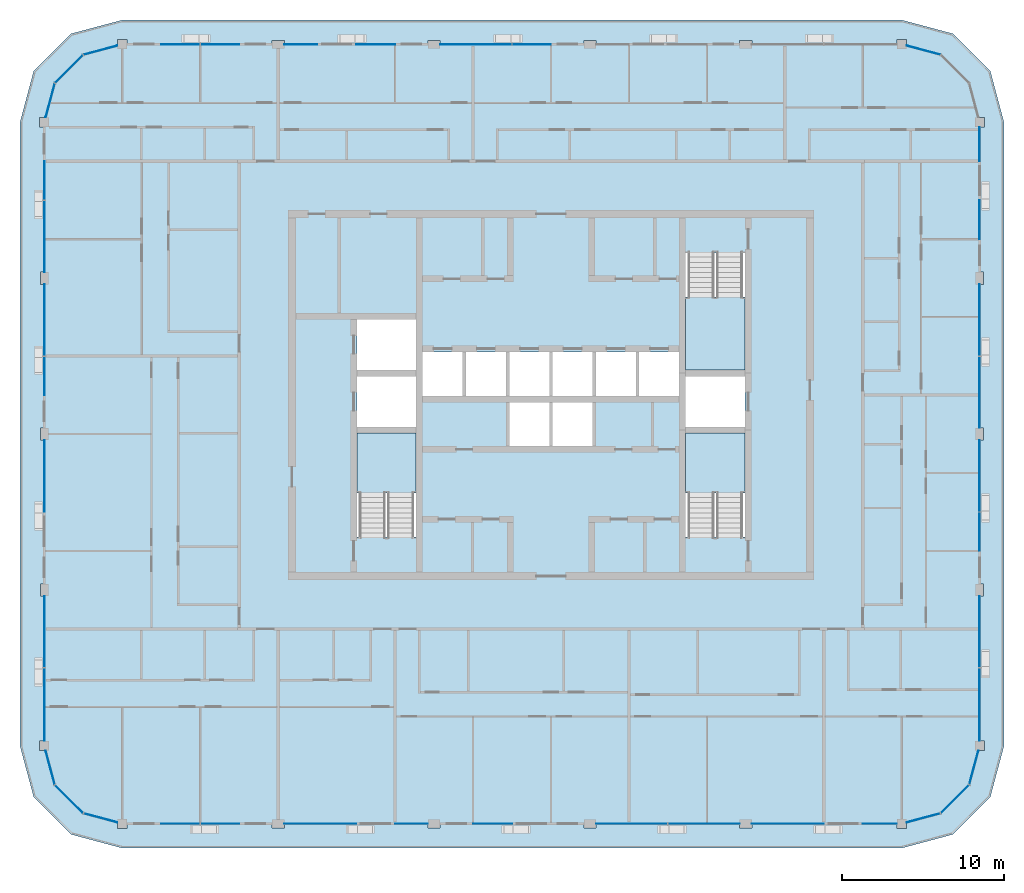
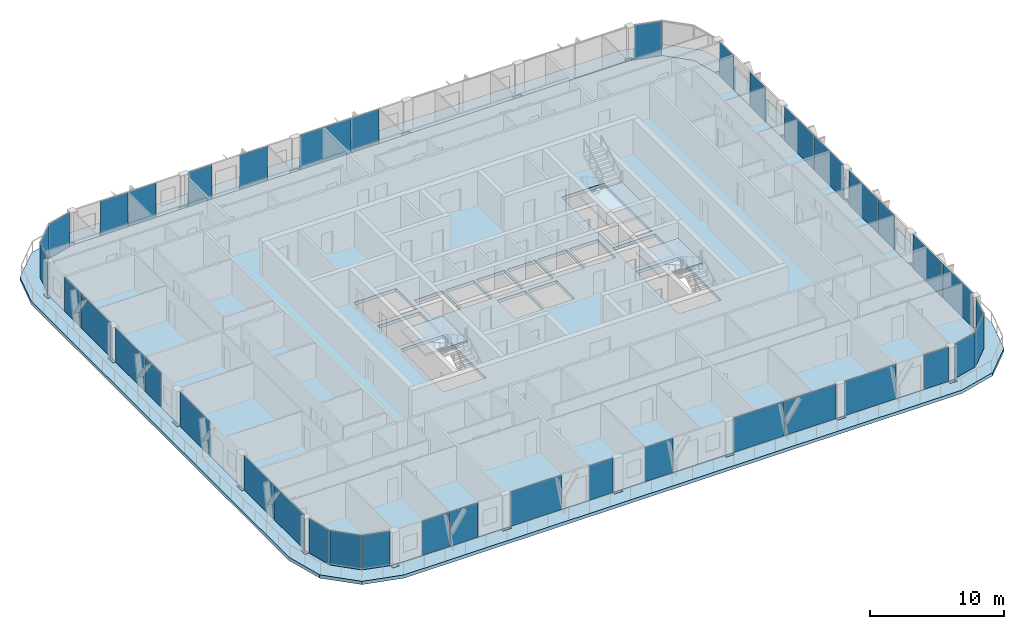
# One storey, part 7 of 22: 40 plates, 5 slabs, 23 elements without a shape of their own.
"""IFC4 building model written with IfcOpenShell, lengths in metres."""

from ifc_helpers import new_model, si_unit, direction, frame, origin, origin_2d, place, context, subcontext, project, spatial, polyline, rectangle, outline, extrude, material, layer, layer_set, type_object, element, aggregate, save


model = new_model("IFC4")

# Units and contexts
model_context = context("Model", 3, precision=1e-05, world=origin(), true_north=direction((0.0, 1.0)))
body_context = subcontext(model_context, "Body", "Model", "MODEL_VIEW")
ifc_project = project(units=[si_unit("LENGTHUNIT", "METRE"), si_unit("AREAUNIT", "SQUARE_METRE"), si_unit("VOLUMEUNIT", "CUBIC_METRE"), si_unit("PLANEANGLEUNIT", "RADIAN"), si_unit("MASSUNIT", "GRAM", prefix="KILO")], contexts=[model_context])

# Site, building, storey
site_placement = place(None, origin())
site = spatial("IfcSite", under=ifc_project, at=site_placement, CompositionType="ELEMENT")
building_placement = place(site_placement, origin())
building = spatial("IfcBuilding", under=site, at=building_placement, Name="Madar Terraces", CompositionType="ELEMENT")
storey_placement = place(building_placement, frame((0.0, 0.0, 282.60009765625)))
storey = spatial("IfcBuildingStorey", under=building, at=storey_placement, Name="L74", CompositionType="ELEMENT", Elevation=282.60009765625)

# Slabs
ifc_material_1 = material(Name="Concrete C50/60", Category="concrete")
ifc_layer_1 = layer(ifc_material_1, 0.300048828125)
ifc_layer_set_1 = layer_set([ifc_layer_1], Name="Balcony band 300")
slab_type_1 = type_object("IfcSlabType", Name="Balcony band 300", PredefinedType="FLOOR", material=ifc_layer_set_1)
slab_1_placement = place(storey_placement, frame((0.0, 0.0, -0.300048828125)))
element("IfcSlab", 1, at=slab_1_placement, inside=storey, type_object=slab_type_1, Name="Balcony band", PredefinedType="FLOOR", context=body_context, shape_type="SweptSolid", body=[
    extrude(outline(polyline([(4.800048828125, -1.5), (1.64990234375, -0.656005859375), (-0.656005859375, 1.64990234375), (-1.5, 4.800048828125), (-1.5, 43.199951171875), (-0.656005859375, 46.35009765625), (1.64990234375, 48.656005859375), (4.800048828125, 49.5), (52.800048828125, 49.5), (55.949951171875, 48.656005859375), (58.256103515625, 46.35009765625), (59.10009765625, 43.199951171875), (59.10009765625, 4.800048828125), (58.256103515625, 1.64990234375), (55.949951171875, -0.656005859375), (52.800048828125, -1.5), (4.800048828125, -1.5)]), holes=[polyline([(5.10009765625, -0.300048828125), (5.10009765625, 0.0), (14.02490234375, 0.0), (14.02490234375, -0.25), (14.77490234375, -0.25), (14.77490234375, 0.0), (23.625, 0.0), (23.625, -0.25), (24.375, -0.25), (24.375, 0.0), (33.22509765625, 0.0), (33.22509765625, -0.25), (33.97509765625, -0.25), (33.97509765625, 0.0), (42.824951171875, 0.0), (42.824951171875, -0.25), (43.574951171875, -0.25), (43.574951171875, 0.0), (52.5, 0.0), (52.5, -0.300048828125), (53.10009765625, -0.300048828125), (53.10009765625, 0.080322265625), (55.199951171875, 0.64306640625), (56.956787109375, 2.39990234375), (57.51953125, 4.5), (57.89990234375, 4.5), (57.89990234375, 5.10009765625), (57.60009765625, 5.10009765625), (57.60009765625, 14.02490234375), (57.85009765625, 14.02490234375), (57.85009765625, 14.77490234375), (57.60009765625, 14.77490234375), (57.60009765625, 23.625), (57.85009765625, 23.625), (57.85009765625, 24.375), (57.60009765625, 24.375), (57.60009765625, 33.22509765625), (57.85009765625, 33.22509765625), (57.85009765625, 33.97509765625), (57.60009765625, 33.97509765625), (57.60009765625, 42.89990234375), (57.89990234375, 42.89990234375), (57.89990234375, 43.5), (57.51953125, 43.5), (56.956787109375, 45.60009765625), (55.199951171875, 47.35693359375), (53.10009765625, 47.919677734375), (53.10009765625, 48.300048828125), (52.5, 48.300048828125), (52.5, 48.0), (43.574951171875, 48.0), (43.574951171875, 48.25), (42.824951171875, 48.25), (42.824951171875, 48.0), (33.97509765625, 48.0), (33.97509765625, 48.25), (33.22509765625, 48.25), (33.22509765625, 48.0), (24.375, 48.0), (24.375, 48.25), (23.625, 48.25), (23.625, 48.0), (14.77490234375, 48.0), (14.77490234375, 48.25), (14.02490234375, 48.25), (14.02490234375, 48.0), (5.10009765625, 48.0), (5.10009765625, 48.300048828125), (4.5, 48.300048828125), (4.5, 47.919677734375), (2.39990234375, 47.35693359375), (0.64306640625, 45.60009765625), (0.080322265625, 43.5), (-0.300048828125, 43.5), (-0.300048828125, 42.89990234375), (0.0, 42.89990234375), (0.0, 33.97509765625), (-0.25, 33.97509765625), (-0.25, 33.22509765625), (0.0, 33.22509765625), (0.0, 24.375), (-0.25, 24.375), (-0.25, 23.625), (0.0, 23.625), (0.0, 14.77490234375), (-0.25, 14.77490234375), (-0.25, 14.02490234375), (0.0, 14.02490234375), (0.0, 5.10009765625), (-0.300048828125, 5.10009765625), (-0.300048828125, 4.5), (0.080322265625, 4.5), (0.64306640625, 2.39990234375), (2.39990234375, 0.64306640625), (4.5, 0.080322265625), (4.5, -0.300048828125), (5.10009765625, -0.300048828125)])]), origin(), (0.0, 0.0, 1.0), 0.300048828125),
])
ifc_material_2 = material(Name="Concrete C50/60", Category="concrete")
ifc_layer_2 = layer(ifc_material_2, 0.300048828125)
ifc_layer_set_2 = layer_set([ifc_layer_2], Name="FS2 PT flat slab 300")
slab_type_2 = type_object("IfcSlabType", Name="FS2 PT flat slab 300", PredefinedType="FLOOR", material=ifc_layer_set_2)
slab_2_placement = place(storey_placement, frame((0.0, 0.0, -0.300048828125)))
element("IfcSlab", 2, at=slab_2_placement, inside=storey, type_object=slab_type_2, Name="Floor slab L74 (1)", PredefinedType="FLOOR", context=body_context, shape_type="SweptSolid", body=[
    extrude(outline(polyline([(52.800048828125, 0.0), (55.199951171875, 0.64306640625), (56.95703125, 2.39990234375), (57.60009765625, 4.800048828125), (57.60009765625, 43.199951171875), (56.95703125, 45.60009765625), (55.199951171875, 47.35693359375), (52.800048828125, 48.0), (4.800048828125, 48.0), (2.39990234375, 47.35693359375), (0.64306640625, 45.60009765625), (0.0, 43.199951171875), (0.0, 4.800048828125), (0.64306640625, 2.39990234375), (2.39990234375, 0.64306640625), (4.800048828125, 0.0), (52.800048828125, 0.0)]), holes=[polyline([(22.89990234375, 17.64990234375), (19.25, 17.64990234375), (19.25, 24.050048828125), (22.89990234375, 24.050048828125), (22.89990234375, 17.64990234375)]), polyline([(28.63330078125, 23.25), (28.63330078125, 25.949951171875), (31.10009765625, 25.949951171875), (31.10009765625, 23.25), (28.63330078125, 23.25)]), polyline([(19.25, 24.449951171875), (19.25, 27.550048828125), (22.89990234375, 27.550048828125), (22.89990234375, 24.449951171875), (19.25, 24.449951171875)]), polyline([(23.300048828125, 26.35009765625), (23.300048828125, 29.050048828125), (25.7666015625, 29.050048828125), (25.7666015625, 26.35009765625), (23.300048828125, 26.35009765625)]), polyline([(25.966552734375, 26.35009765625), (25.966552734375, 29.050048828125), (28.433349609375, 29.050048828125), (28.433349609375, 26.35009765625), (25.966552734375, 26.35009765625)]), polyline([(28.63330078125, 26.35009765625), (28.63330078125, 29.050048828125), (31.10009765625, 29.050048828125), (31.10009765625, 26.35009765625), (28.63330078125, 26.35009765625)]), polyline([(19.25, 27.949951171875), (19.25, 31.050048828125), (22.89990234375, 31.050048828125), (22.89990234375, 27.949951171875), (19.25, 27.949951171875)]), polyline([(43.14990234375, 17.64990234375), (39.5, 17.64990234375), (39.5, 24.050048828125), (43.14990234375, 24.050048828125), (43.14990234375, 17.64990234375)]), polyline([(31.300048828125, 23.25), (31.300048828125, 25.949951171875), (33.7666015625, 25.949951171875), (33.7666015625, 23.25), (31.300048828125, 23.25)]), polyline([(39.5, 24.449951171875), (39.5, 27.550048828125), (43.14990234375, 27.550048828125), (43.14990234375, 24.449951171875), (39.5, 24.449951171875)]), polyline([(31.300048828125, 26.35009765625), (31.300048828125, 29.050048828125), (33.7666015625, 29.050048828125), (33.7666015625, 26.35009765625), (31.300048828125, 26.35009765625)]), polyline([(33.966552734375, 26.35009765625), (33.966552734375, 29.050048828125), (36.433349609375, 29.050048828125), (36.433349609375, 26.35009765625), (33.966552734375, 26.35009765625)]), polyline([(36.63330078125, 26.35009765625), (36.63330078125, 29.050048828125), (39.10009765625, 29.050048828125), (39.10009765625, 26.35009765625), (36.63330078125, 26.35009765625)]), polyline([(39.5, 27.949951171875), (39.5, 35.14990234375), (43.14990234375, 35.14990234375), (43.14990234375, 27.949951171875), (39.5, 27.949951171875)])]), origin(), (0.0, 0.0, 1.0), 0.300048828125),
])

# Curtain wall, plates
ifc_material_3 = material(Name="Glass, ceramic frit dark grey, with black aluminium frame", Category="aluminium")
ifc_layer_3 = layer(ifc_material_3, 0.199951171875)
ifc_layer_set_3 = layer_set([ifc_layer_3], Name="Facade curtain wall, fritted glass")
curtain_wall_type = type_object("IfcCurtainWallType", Name="Facade curtain wall, fritted glass", PredefinedType="NOTDEFINED", material=ifc_layer_set_3)
curtain_wall_1_placement = place(storey_placement, origin())
curtain_wall_1 = element("IfcCurtainWall", 3, at=curtain_wall_1_placement, inside=storey, type_object=curtain_wall_type, Name="Outer skin curtain wall south bay 1", PredefinedType="NOTDEFINED")
ifc_material_4 = material(Name="Glass, ceramic frit dark grey", Category="glass")
ifc_layer_4 = layer(ifc_material_4, 0.028076171875)
ifc_layer_set_4 = layer_set([ifc_layer_4], Name="Facade glass panel 28")
plate_type = type_object("IfcPlateType", Name="Facade glass panel 28", PredefinedType="CURTAIN_PANEL", material=ifc_layer_set_4)
plate_1_placement = place(storey_placement, frame((8.385009765625, 0.0, 0.0), z_axis=(0.0, 0.0, 1.0), x_axis=(1.0, 0.0, 0.0)))
plate_1 = element("IfcPlate", 4, at=plate_1_placement, type_object=plate_type, Name="Panel 1", PredefinedType="CURTAIN_PANEL", context=body_context, shape_type="SweptSolid", body=[
    extrude(rectangle(XDim=2.3701171875, YDim=0.028076171875, at=origin_2d()), origin(), (0.0, 0.0, 1.0), 3.139892578125),
])
plate_2_placement = place(storey_placement, frame((10.81494140625, 0.0, 0.0), z_axis=(0.0, 0.0, 1.0), x_axis=(1.0, 0.0, 0.0)))
plate_2 = element("IfcPlate", 5, at=plate_2_placement, type_object=plate_type, Name="Panel 2", PredefinedType="CURTAIN_PANEL", context=body_context, shape_type="SweptSolid", body=[
    extrude(rectangle(XDim=2.3701171875, YDim=0.028076171875, at=origin_2d()), origin(), (0.0, 0.0, 1.0), 3.139892578125),
])
aggregate(curtain_wall_1, [plate_1, plate_2])

curtain_wall_2_placement = place(storey_placement, origin())
curtain_wall_2 = element("IfcCurtainWall", 6, at=curtain_wall_2_placement, inside=storey, type_object=curtain_wall_type, Name="Outer skin curtain wall south bay 2", PredefinedType="NOTDEFINED")
plate_3_placement = place(storey_placement, frame((16.987548828125, 0.0, 0.0), z_axis=(0.0, 0.0, 1.0), x_axis=(1.0, 0.0, 0.0)))
plate_3 = element("IfcPlate", 7, at=plate_3_placement, type_object=plate_type, Name="Panel 1", PredefinedType="CURTAIN_PANEL", context=body_context, shape_type="SweptSolid", body=[
    extrude(rectangle(XDim=4.425048828125, YDim=0.028076171875, at=origin_2d()), origin(), (0.0, 0.0, 1.0), 3.139892578125),
])
plate_4_placement = place(storey_placement, frame((22.612548828125, 0.0, 0.0), z_axis=(0.0, 0.0, 1.0), x_axis=(1.0, 0.0, 0.0)))
plate_4 = element("IfcPlate", 8, at=plate_4_placement, type_object=plate_type, Name="Panel 2", PredefinedType="CURTAIN_PANEL", context=body_context, shape_type="SweptSolid", body=[
    extrude(rectangle(XDim=2.02490234375, YDim=0.028076171875, at=origin_2d()), origin(), (0.0, 0.0, 1.0), 3.139892578125),
])
aggregate(curtain_wall_2, [plate_3, plate_4])

# Curtain wall, plate
curtain_wall_3_placement = place(storey_placement, origin())
curtain_wall_3 = element("IfcCurtainWall", 9, at=curtain_wall_3_placement, inside=storey, type_object=curtain_wall_type, Name="Outer skin curtain wall south bay 3", PredefinedType="NOTDEFINED")
plate_5_placement = place(storey_placement, frame((27.60009765625, 0.0, 0.0), z_axis=(0.0, 0.0, 1.0), x_axis=(1.0, 0.0, 0.0)))
plate_5 = element("IfcPlate", 10, at=plate_5_placement, type_object=plate_type, Name="Panel 1", PredefinedType="CURTAIN_PANEL", context=body_context, shape_type="SweptSolid", body=[
    extrude(rectangle(XDim=2.39990234375, YDim=0.028076171875, at=origin_2d()), origin(), (0.0, 0.0, 1.0), 3.139892578125),
])
aggregate(curtain_wall_3, [plate_5])

# Curtain wall, plates
curtain_wall_4_placement = place(storey_placement, origin())
curtain_wall_4 = element("IfcCurtainWall", 11, at=curtain_wall_4_placement, inside=storey, type_object=curtain_wall_type, Name="Outer skin curtain wall south bay 4", PredefinedType="NOTDEFINED")
plate_6_placement = place(storey_placement, frame((36.172607421875, 0.0, 0.0), z_axis=(0.0, 0.0, 1.0), x_axis=(1.0, 0.0, 0.0)))
plate_6 = element("IfcPlate", 12, at=plate_6_placement, type_object=plate_type, Name="Panel 1", PredefinedType="CURTAIN_PANEL", context=body_context, shape_type="SweptSolid", body=[
    extrude(rectangle(XDim=4.39501953125, YDim=0.028076171875, at=origin_2d()), origin(), (0.0, 0.0, 1.0), 3.139892578125),
])
plate_7_placement = place(storey_placement, frame((40.62744140625, 0.0, 0.0), z_axis=(0.0, 0.0, 1.0), x_axis=(1.0, 0.0, 0.0)))
plate_7 = element("IfcPlate", 13, at=plate_7_placement, type_object=plate_type, Name="Panel 2", PredefinedType="CURTAIN_PANEL", context=body_context, shape_type="SweptSolid", body=[
    extrude(rectangle(XDim=4.39501953125, YDim=0.028076171875, at=origin_2d()), origin(), (0.0, 0.0, 1.0), 3.139892578125),
])
aggregate(curtain_wall_4, [plate_6, plate_7])

curtain_wall_5_placement = place(storey_placement, origin())
curtain_wall_5 = element("IfcCurtainWall", 14, at=curtain_wall_5_placement, inside=storey, type_object=curtain_wall_type, Name="Outer skin curtain wall south bay 5", PredefinedType="NOTDEFINED")
plate_8_placement = place(storey_placement, frame((45.78759765625, 0.0, 0.0), z_axis=(0.0, 0.0, 1.0), x_axis=(1.0, 0.0, 0.0)))
plate_8 = element("IfcPlate", 15, at=plate_8_placement, type_object=plate_type, Name="Panel 1", PredefinedType="CURTAIN_PANEL", context=body_context, shape_type="SweptSolid", body=[
    extrude(rectangle(XDim=4.425048828125, YDim=0.028076171875, at=origin_2d()), origin(), (0.0, 0.0, 1.0), 3.139892578125),
])
plate_9_placement = place(storey_placement, frame((51.449951171875, 0.0, 0.0), z_axis=(0.0, 0.0, 1.0), x_axis=(1.0, 0.0, 0.0)))
plate_9 = element("IfcPlate", 16, at=plate_9_placement, type_object=plate_type, Name="Panel 2", PredefinedType="CURTAIN_PANEL", context=body_context, shape_type="SweptSolid", body=[
    extrude(rectangle(XDim=2.10009765625, YDim=0.028076171875, at=origin_2d()), origin(), (0.0, 0.0, 1.0), 3.139892578125),
])
aggregate(curtain_wall_5, [plate_8, plate_9])

curtain_wall_6_placement = place(storey_placement, origin())
curtain_wall_6 = element("IfcCurtainWall", 17, at=curtain_wall_6_placement, inside=storey, type_object=curtain_wall_type, Name="Outer skin curtain wall east bay 1", PredefinedType="NOTDEFINED")
plate_10_placement = place(storey_placement, frame((57.60009765625, 7.3349609375, 0.0), z_axis=(0.0, 0.0, 1.0), x_axis=(0.0, 1.0, 0.0)))
plate_10 = element("IfcPlate", 18, at=plate_10_placement, type_object=plate_type, Name="Panel 1", PredefinedType="CURTAIN_PANEL", context=body_context, shape_type="SweptSolid", body=[
    extrude(rectangle(XDim=4.469970703125, YDim=0.028076171875, at=origin_2d()), origin(), (0.0, 0.0, 1.0), 3.139892578125),
])
plate_11_placement = place(storey_placement, frame((57.60009765625, 11.827392578125, 0.0), z_axis=(0.0, 0.0, 1.0), x_axis=(0.0, 1.0, 0.0)))
plate_11 = element("IfcPlate", 19, at=plate_11_placement, type_object=plate_type, Name="Panel 2", PredefinedType="CURTAIN_PANEL", context=body_context, shape_type="SweptSolid", body=[
    extrude(rectangle(XDim=4.39501953125, YDim=0.028076171875, at=origin_2d()), origin(), (0.0, 0.0, 1.0), 3.139892578125),
])
aggregate(curtain_wall_6, [plate_10, plate_11])

curtain_wall_7_placement = place(storey_placement, origin())
curtain_wall_7 = element("IfcCurtainWall", 20, at=curtain_wall_7_placement, inside=storey, type_object=curtain_wall_type, Name="Outer skin curtain wall east bay 2", PredefinedType="NOTDEFINED")
plate_12_placement = place(storey_placement, frame((57.60009765625, 17.985107421875, 0.0), z_axis=(0.0, 0.0, 1.0), x_axis=(0.0, 1.0, 0.0)))
plate_12 = element("IfcPlate", 21, at=plate_12_placement, type_object=plate_type, Name="Panel 1", PredefinedType="CURTAIN_PANEL", context=body_context, shape_type="SweptSolid", body=[
    extrude(rectangle(XDim=2.3701171875, YDim=0.028076171875, at=origin_2d()), origin(), (0.0, 0.0, 1.0), 3.139892578125),
])
plate_13_placement = place(storey_placement, frame((57.60009765625, 21.427490234375, 0.0), z_axis=(0.0, 0.0, 1.0), x_axis=(0.0, 1.0, 0.0)))
plate_13 = element("IfcPlate", 22, at=plate_13_placement, type_object=plate_type, Name="Panel 2", PredefinedType="CURTAIN_PANEL", context=body_context, shape_type="SweptSolid", body=[
    extrude(rectangle(XDim=4.39501953125, YDim=0.028076171875, at=origin_2d()), origin(), (0.0, 0.0, 1.0), 3.139892578125),
])
aggregate(curtain_wall_7, [plate_12, plate_13])

curtain_wall_8_placement = place(storey_placement, origin())
curtain_wall_8 = element("IfcCurtainWall", 23, at=curtain_wall_8_placement, inside=storey, type_object=curtain_wall_type, Name="Outer skin curtain wall east bay 3", PredefinedType="NOTDEFINED")
plate_14_placement = place(storey_placement, frame((57.60009765625, 26.572509765625, 0.0), z_axis=(0.0, 0.0, 1.0), x_axis=(0.0, 1.0, 0.0)))
plate_14 = element("IfcPlate", 24, at=plate_14_placement, type_object=plate_type, Name="Panel 1", PredefinedType="CURTAIN_PANEL", context=body_context, shape_type="SweptSolid", body=[
    extrude(rectangle(XDim=4.39501953125, YDim=0.028076171875, at=origin_2d()), origin(), (0.0, 0.0, 1.0), 3.139892578125),
])
plate_15_placement = place(storey_placement, frame((57.60009765625, 31.027587890625, 0.0), z_axis=(0.0, 0.0, 1.0), x_axis=(0.0, 1.0, 0.0)))
plate_15 = element("IfcPlate", 25, at=plate_15_placement, type_object=plate_type, Name="Panel 2", PredefinedType="CURTAIN_PANEL", context=body_context, shape_type="SweptSolid", body=[
    extrude(rectangle(XDim=4.39501953125, YDim=0.028076171875, at=origin_2d()), origin(), (0.0, 0.0, 1.0), 3.139892578125),
])
aggregate(curtain_wall_8, [plate_14, plate_15])

curtain_wall_9_placement = place(storey_placement, origin())
curtain_wall_9 = element("IfcCurtainWall", 26, at=curtain_wall_9_placement, inside=storey, type_object=curtain_wall_type, Name="Outer skin curtain wall east bay 4", PredefinedType="NOTDEFINED")
plate_16_placement = place(storey_placement, frame((57.60009765625, 37.199951171875, 0.0), z_axis=(0.0, 0.0, 1.0), x_axis=(0.0, 1.0, 0.0)))
plate_16 = element("IfcPlate", 27, at=plate_16_placement, type_object=plate_type, Name="Panel 1", PredefinedType="CURTAIN_PANEL", context=body_context, shape_type="SweptSolid", body=[
    extrude(rectangle(XDim=2.39990234375, YDim=0.028076171875, at=origin_2d()), origin(), (0.0, 0.0, 1.0), 3.139892578125),
])
plate_17_placement = place(storey_placement, frame((57.60009765625, 41.85009765625, 0.0), z_axis=(0.0, 0.0, 1.0), x_axis=(0.0, 1.0, 0.0)))
plate_17 = element("IfcPlate", 28, at=plate_17_placement, type_object=plate_type, Name="Panel 2", PredefinedType="CURTAIN_PANEL", context=body_context, shape_type="SweptSolid", body=[
    extrude(rectangle(XDim=2.10009765625, YDim=0.028076171875, at=origin_2d()), origin(), (0.0, 0.0, 1.0), 3.139892578125),
])
aggregate(curtain_wall_9, [plate_16, plate_17])

curtain_wall_10_placement = place(storey_placement, origin())
curtain_wall_10 = element("IfcCurtainWall", 29, at=curtain_wall_10_placement, inside=storey, type_object=curtain_wall_type, Name="Outer skin curtain wall north bay 3", PredefinedType="NOTDEFINED")
plate_18_placement = place(storey_placement, frame((30.014892578125, 48.0, 0.0), z_axis=(0.0, 0.0, 1.0), x_axis=(-1.0, 0.0, 0.0)))
plate_18 = element("IfcPlate", 30, at=plate_18_placement, type_object=plate_type, Name="Panel 1", PredefinedType="CURTAIN_PANEL", context=body_context, shape_type="SweptSolid", body=[
    extrude(rectangle(XDim=2.3701171875, YDim=0.028076171875, at=origin_2d()), origin(), (0.0, 0.0, 1.0), 3.139892578125),
])
plate_19_placement = place(storey_placement, frame((26.572509765625, 48.0, 0.0), z_axis=(0.0, 0.0, 1.0), x_axis=(-1.0, 0.0, 0.0)))
plate_19 = element("IfcPlate", 31, at=plate_19_placement, type_object=plate_type, Name="Panel 2", PredefinedType="CURTAIN_PANEL", context=body_context, shape_type="SweptSolid", body=[
    extrude(rectangle(XDim=4.39501953125, YDim=0.028076171875, at=origin_2d()), origin(), (0.0, 0.0, 1.0), 3.139892578125),
])
aggregate(curtain_wall_10, [plate_18, plate_19])

curtain_wall_11_placement = place(storey_placement, origin())
curtain_wall_11 = element("IfcCurtainWall", 32, at=curtain_wall_11_placement, inside=storey, type_object=curtain_wall_type, Name="Outer skin curtain wall north bay 4", PredefinedType="NOTDEFINED")
plate_20_placement = place(storey_placement, frame((20.39990234375, 48.0, 0.0), z_axis=(0.0, 0.0, 1.0), x_axis=(-1.0, 0.0, 0.0)))
plate_20 = element("IfcPlate", 33, at=plate_20_placement, type_object=plate_type, Name="Panel 1", PredefinedType="CURTAIN_PANEL", context=body_context, shape_type="SweptSolid", body=[
    extrude(rectangle(XDim=2.39990234375, YDim=0.028076171875, at=origin_2d()), origin(), (0.0, 0.0, 1.0), 3.139892578125),
])
plate_21_placement = place(storey_placement, frame((15.78759765625, 48.0, 0.0), z_axis=(0.0, 0.0, 1.0), x_axis=(-1.0, 0.0, 0.0)))
plate_21 = element("IfcPlate", 34, at=plate_21_placement, type_object=plate_type, Name="Panel 2", PredefinedType="CURTAIN_PANEL", context=body_context, shape_type="SweptSolid", body=[
    extrude(rectangle(XDim=2.02490234375, YDim=0.028076171875, at=origin_2d()), origin(), (0.0, 0.0, 1.0), 3.139892578125),
])
aggregate(curtain_wall_11, [plate_20, plate_21])

curtain_wall_12_placement = place(storey_placement, origin())
curtain_wall_12 = element("IfcCurtainWall", 35, at=curtain_wall_12_placement, inside=storey, type_object=curtain_wall_type, Name="Outer skin curtain wall north bay 5", PredefinedType="NOTDEFINED")
plate_22_placement = place(storey_placement, frame((10.81494140625, 48.0, 0.0), z_axis=(0.0, 0.0, 1.0), x_axis=(-1.0, 0.0, 0.0)))
plate_22 = element("IfcPlate", 36, at=plate_22_placement, type_object=plate_type, Name="Panel 1", PredefinedType="CURTAIN_PANEL", context=body_context, shape_type="SweptSolid", body=[
    extrude(rectangle(XDim=2.3701171875, YDim=0.028076171875, at=origin_2d()), origin(), (0.0, 0.0, 1.0), 3.139892578125),
])
plate_23_placement = place(storey_placement, frame((8.385009765625, 48.0, 0.0), z_axis=(0.0, 0.0, 1.0), x_axis=(-1.0, 0.0, 0.0)))
plate_23 = element("IfcPlate", 37, at=plate_23_placement, type_object=plate_type, Name="Panel 2", PredefinedType="CURTAIN_PANEL", context=body_context, shape_type="SweptSolid", body=[
    extrude(rectangle(XDim=2.3701171875, YDim=0.028076171875, at=origin_2d()), origin(), (0.0, 0.0, 1.0), 3.139892578125),
])
aggregate(curtain_wall_12, [plate_22, plate_23])

curtain_wall_13_placement = place(storey_placement, origin())
curtain_wall_13 = element("IfcCurtainWall", 38, at=curtain_wall_13_placement, inside=storey, type_object=curtain_wall_type, Name="Outer skin curtain wall west bay 1", PredefinedType="NOTDEFINED")
plate_24_placement = place(storey_placement, frame((0.0, 39.614990234375, 0.0), z_axis=(0.0, 0.0, 1.0), x_axis=(0.0, -1.0, 0.0)))
plate_24 = element("IfcPlate", 39, at=plate_24_placement, type_object=plate_type, Name="Panel 1", PredefinedType="CURTAIN_PANEL", context=body_context, shape_type="SweptSolid", body=[
    extrude(rectangle(XDim=2.3701171875, YDim=0.028076171875, at=origin_2d()), origin(), (0.0, 0.0, 1.0), 3.139892578125),
])
plate_25_placement = place(storey_placement, frame((0.0, 36.172607421875, 0.0), z_axis=(0.0, 0.0, 1.0), x_axis=(0.0, -1.0, 0.0)))
plate_25 = element("IfcPlate", 40, at=plate_25_placement, type_object=plate_type, Name="Panel 2", PredefinedType="CURTAIN_PANEL", context=body_context, shape_type="SweptSolid", body=[
    extrude(rectangle(XDim=4.39501953125, YDim=0.028076171875, at=origin_2d()), origin(), (0.0, 0.0, 1.0), 3.139892578125),
])
aggregate(curtain_wall_13, [plate_24, plate_25])

curtain_wall_14_placement = place(storey_placement, origin())
curtain_wall_14 = element("IfcCurtainWall", 41, at=curtain_wall_14_placement, inside=storey, type_object=curtain_wall_type, Name="Outer skin curtain wall west bay 2", PredefinedType="NOTDEFINED")
plate_26_placement = place(storey_placement, frame((0.0, 31.027587890625, 0.0), z_axis=(0.0, 0.0, 1.0), x_axis=(0.0, -1.0, 0.0)))
plate_26 = element("IfcPlate", 42, at=plate_26_placement, type_object=plate_type, Name="Panel 1", PredefinedType="CURTAIN_PANEL", context=body_context, shape_type="SweptSolid", body=[
    extrude(rectangle(XDim=4.39501953125, YDim=0.028076171875, at=origin_2d()), origin(), (0.0, 0.0, 1.0), 3.139892578125),
])
plate_27_placement = place(storey_placement, frame((0.0, 27.5849609375, 0.0), z_axis=(0.0, 0.0, 1.0), x_axis=(0.0, -1.0, 0.0)))
plate_27 = element("IfcPlate", 43, at=plate_27_placement, type_object=plate_type, Name="Panel 2", PredefinedType="CURTAIN_PANEL", context=body_context, shape_type="SweptSolid", body=[
    extrude(rectangle(XDim=2.3701171875, YDim=0.028076171875, at=origin_2d()), origin(), (0.0, 0.0, 1.0), 3.139892578125),
])
aggregate(curtain_wall_14, [plate_26, plate_27])

# Curtain wall, plate
curtain_wall_15_placement = place(storey_placement, origin())
curtain_wall_15 = element("IfcCurtainWall", 44, at=curtain_wall_15_placement, inside=storey, type_object=curtain_wall_type, Name="Outer skin curtain wall west bay 3", PredefinedType="NOTDEFINED")
plate_28_placement = place(storey_placement, frame((0.0, 21.41259765625, 0.0), z_axis=(0.0, 0.0, 1.0), x_axis=(0.0, -1.0, 0.0)))
plate_28 = element("IfcPlate", 45, at=plate_28_placement, type_object=plate_type, Name="Panel 1", PredefinedType="CURTAIN_PANEL", context=body_context, shape_type="SweptSolid", body=[
    extrude(rectangle(XDim=4.425048828125, YDim=0.028076171875, at=origin_2d()), origin(), (0.0, 0.0, 1.0), 3.139892578125),
])
aggregate(curtain_wall_15, [plate_28])

# Curtain wall, plates
curtain_wall_16_placement = place(storey_placement, origin())
curtain_wall_16 = element("IfcCurtainWall", 46, at=curtain_wall_16_placement, inside=storey, type_object=curtain_wall_type, Name="Outer skin curtain wall west bay 4", PredefinedType="NOTDEFINED")
plate_29_placement = place(storey_placement, frame((0.0, 11.827392578125, 0.0), z_axis=(0.0, 0.0, 1.0), x_axis=(0.0, -1.0, 0.0)))
plate_29 = element("IfcPlate", 47, at=plate_29_placement, type_object=plate_type, Name="Panel 1", PredefinedType="CURTAIN_PANEL", context=body_context, shape_type="SweptSolid", body=[
    extrude(rectangle(XDim=4.39501953125, YDim=0.028076171875, at=origin_2d()), origin(), (0.0, 0.0, 1.0), 3.139892578125),
])
plate_30_placement = place(storey_placement, frame((0.0, 7.3349609375, 0.0), z_axis=(0.0, 0.0, 1.0), x_axis=(0.0, -1.0, 0.0)))
plate_30 = element("IfcPlate", 48, at=plate_30_placement, type_object=plate_type, Name="Panel 2", PredefinedType="CURTAIN_PANEL", context=body_context, shape_type="SweptSolid", body=[
    extrude(rectangle(XDim=4.469970703125, YDim=0.028076171875, at=origin_2d()), origin(), (0.0, 0.0, 1.0), 3.139892578125),
])
aggregate(curtain_wall_16, [plate_29, plate_30])

curtain_wall_17_placement = place(storey_placement, origin())
curtain_wall_17 = element("IfcCurtainWall", 49, at=curtain_wall_17_placement, inside=storey, type_object=curtain_wall_type, Name="Outer skin curtain wall south-east corner", PredefinedType="NOTDEFINED")
plate_31_placement = place(storey_placement, frame((54.135498046875, 0.35791015625, 0.0), z_axis=(0.0, 0.0, 1.0), x_axis=(0.965925832509, 0.258819021888, 0.0)))
plate_31 = element("IfcPlate", 50, at=plate_31_placement, type_object=plate_type, Name="Panel 1", PredefinedType="CURTAIN_PANEL", context=body_context, shape_type="SweptSolid", body=[
    extrude(rectangle(XDim=2.14404296875, YDim=0.028076171875, at=origin_2d()), origin(), (0.0, 0.0, 1.0), 3.139892578125),
])
plate_32_placement = place(storey_placement, frame((56.078369140625, 1.521484375, 0.0), z_axis=(0.0, 0.0, 1.0), x_axis=(0.707106781187, 0.707106781187, 0.0)))
plate_32 = element("IfcPlate", 51, at=plate_32_placement, type_object=plate_type, Name="Panel 2", PredefinedType="CURTAIN_PANEL", context=body_context, shape_type="SweptSolid", body=[
    extrude(rectangle(XDim=2.424560546875, YDim=0.028076171875, at=origin_2d()), origin(), (0.0, 0.0, 1.0), 3.139892578125),
])
plate_33_placement = place(storey_placement, frame((57.2421875, 3.464599609375, 0.0), z_axis=(0.0, 0.0, 1.0), x_axis=(0.258819021888, 0.965925832509, 0.0)))
plate_33 = element("IfcPlate", 52, at=plate_33_placement, type_object=plate_type, Name="Panel 3", PredefinedType="CURTAIN_PANEL", context=body_context, shape_type="SweptSolid", body=[
    extrude(rectangle(XDim=2.14404296875, YDim=0.028076171875, at=origin_2d()), origin(), (0.0, 0.0, 1.0), 3.139892578125),
])
aggregate(curtain_wall_17, [plate_31, plate_32, plate_33])

# Curtain wall, plate
curtain_wall_18_placement = place(storey_placement, origin())
curtain_wall_18 = element("IfcCurtainWall", 53, at=curtain_wall_18_placement, inside=storey, type_object=curtain_wall_type, Name="Outer skin curtain wall north-east corner", PredefinedType="NOTDEFINED")
plate_34_placement = place(storey_placement, frame((54.135498046875, 47.64208984375, 0.0), z_axis=(0.0, 0.0, 1.0), x_axis=(-0.965925832509, 0.258819021888, 0.0)))
plate_34 = element("IfcPlate", 54, at=plate_34_placement, type_object=plate_type, Name="Panel 3", PredefinedType="CURTAIN_PANEL", context=body_context, shape_type="SweptSolid", body=[
    extrude(rectangle(XDim=2.14404296875, YDim=0.028076171875, at=origin_2d()), origin(), (0.0, 0.0, 1.0), 3.139892578125),
])
aggregate(curtain_wall_18, [plate_34])

# Curtain wall, plates
curtain_wall_19_placement = place(storey_placement, origin())
curtain_wall_19 = element("IfcCurtainWall", 55, at=curtain_wall_19_placement, inside=storey, type_object=curtain_wall_type, Name="Outer skin curtain wall north-west corner", PredefinedType="NOTDEFINED")
plate_35_placement = place(storey_placement, frame((3.464599609375, 47.64208984375, 0.0), z_axis=(0.0, 0.0, 1.0), x_axis=(-0.965925832509, -0.258819021888, 0.0)))
plate_35 = element("IfcPlate", 56, at=plate_35_placement, type_object=plate_type, Name="Panel 1", PredefinedType="CURTAIN_PANEL", context=body_context, shape_type="SweptSolid", body=[
    extrude(rectangle(XDim=2.14404296875, YDim=0.028076171875, at=origin_2d()), origin(), (0.0, 0.0, 1.0), 3.139892578125),
])
plate_36_placement = place(storey_placement, frame((1.521484375, 46.478515625, 0.0), z_axis=(0.0, 0.0, 1.0), x_axis=(-0.707106781187, -0.707106781187, 0.0)))
plate_36 = element("IfcPlate", 57, at=plate_36_placement, type_object=plate_type, Name="Panel 2", PredefinedType="CURTAIN_PANEL", context=body_context, shape_type="SweptSolid", body=[
    extrude(rectangle(XDim=2.424560546875, YDim=0.028076171875, at=origin_2d()), origin(), (0.0, 0.0, 1.0), 3.139892578125),
])
plate_37_placement = place(storey_placement, frame((0.35791015625, 44.535400390625, 0.0), z_axis=(0.0, 0.0, 1.0), x_axis=(-0.258819021888, -0.965925832509, 0.0)))
plate_37 = element("IfcPlate", 58, at=plate_37_placement, type_object=plate_type, Name="Panel 3", PredefinedType="CURTAIN_PANEL", context=body_context, shape_type="SweptSolid", body=[
    extrude(rectangle(XDim=2.14404296875, YDim=0.028076171875, at=origin_2d()), origin(), (0.0, 0.0, 1.0), 3.139892578125),
])
aggregate(curtain_wall_19, [plate_35, plate_36, plate_37])

curtain_wall_20_placement = place(storey_placement, origin())
curtain_wall_20 = element("IfcCurtainWall", 59, at=curtain_wall_20_placement, inside=storey, type_object=curtain_wall_type, Name="Outer skin curtain wall south-west corner", PredefinedType="NOTDEFINED")
plate_38_placement = place(storey_placement, frame((0.35791015625, 3.464599609375, 0.0), z_axis=(0.0, 0.0, 1.0), x_axis=(0.258819021888, -0.965925832509, 0.0)))
plate_38 = element("IfcPlate", 60, at=plate_38_placement, type_object=plate_type, Name="Panel 1", PredefinedType="CURTAIN_PANEL", context=body_context, shape_type="SweptSolid", body=[
    extrude(rectangle(XDim=2.14404296875, YDim=0.028076171875, at=origin_2d()), origin(), (0.0, 0.0, 1.0), 3.139892578125),
])
plate_39_placement = place(storey_placement, frame((1.521484375, 1.521484375, 0.0), z_axis=(0.0, 0.0, 1.0), x_axis=(0.707106781187, -0.707106781187, 0.0)))
plate_39 = element("IfcPlate", 61, at=plate_39_placement, type_object=plate_type, Name="Panel 2", PredefinedType="CURTAIN_PANEL", context=body_context, shape_type="SweptSolid", body=[
    extrude(rectangle(XDim=2.424560546875, YDim=0.028076171875, at=origin_2d()), origin(), (0.0, 0.0, 1.0), 3.139892578125),
])
plate_40_placement = place(storey_placement, frame((3.464599609375, 0.35791015625, 0.0), z_axis=(0.0, 0.0, 1.0), x_axis=(0.965925832509, -0.258819021888, 0.0)))
plate_40 = element("IfcPlate", 62, at=plate_40_placement, type_object=plate_type, Name="Panel 3", PredefinedType="CURTAIN_PANEL", context=body_context, shape_type="SweptSolid", body=[
    extrude(rectangle(XDim=2.14404296875, YDim=0.028076171875, at=origin_2d()), origin(), (0.0, 0.0, 1.0), 3.139892578125),
])
aggregate(curtain_wall_20, [plate_38, plate_39, plate_40])

# Stair, slab
ifc_material_5 = material(Name="Concrete C50/60", Category="concrete")
stair_type_1 = type_object("IfcStairType", Name="Stair ST1 protected exit", PredefinedType="HALF_TURN_STAIR", material=ifc_material_5)
stair_1_placement = place(storey_placement, origin())
stair_1 = element("IfcStair", 63, at=stair_1_placement, inside=storey, type_object=stair_type_1, Name="L74 Protected Exit Stair ST1", PredefinedType="HALF_TURN_STAIR")
ifc_material_6 = material(Name="Concrete C50/60", Category="concrete")
ifc_layer_5 = layer(ifc_material_6, 0.199951171875)
ifc_layer_set_5 = layer_set([ifc_layer_5], Name="Stair landing 200, top +1.75")
slab_type_3 = type_object("IfcSlabType", Name="Stair landing 200, top +1.75", PredefinedType="LANDING", material=ifc_layer_set_5)
slab_3_placement = place(storey_placement, frame((0.0, 0.0, 1.5498046875)))
slab_3 = element("IfcSlab", 64, at=slab_3_placement, type_object=slab_type_3, Name="ST1 landing 1", PredefinedType="LANDING", context=body_context, shape_type="SweptSolid", body=[
    extrude(outline(polyline([(19.25, 20.360107421875), (22.89990234375, 20.360107421875), (22.89990234375, 24.050048828125), (19.25, 24.050048828125), (19.25, 20.360107421875)])), origin(), (0.0, 0.0, 1.0), 0.2001953125),
])
aggregate(stair_1, [slab_3])

ifc_material_7 = material(Name="Concrete C50/60", Category="concrete")
stair_type_2 = type_object("IfcStairType", Name="Stair ST2 protected exit", PredefinedType="HALF_TURN_STAIR", material=ifc_material_7)
stair_2_placement = place(storey_placement, origin())
stair_2 = element("IfcStair", 65, at=stair_2_placement, inside=storey, type_object=stair_type_2, Name="L74 Protected Exit Stair ST2", PredefinedType="HALF_TURN_STAIR")
slab_4_placement = place(storey_placement, frame((0.0, 0.0, 1.5498046875)))
slab_4 = element("IfcSlab", 66, at=slab_4_placement, type_object=slab_type_3, Name="ST2 landing 1", PredefinedType="LANDING", context=body_context, shape_type="SweptSolid", body=[
    extrude(outline(polyline([(39.5, 27.949951171875), (43.14990234375, 27.949951171875), (43.14990234375, 32.43994140625), (39.5, 32.43994140625), (39.5, 27.949951171875)])), origin(), (0.0, 0.0, 1.0), 0.2001953125),
])
aggregate(stair_2, [slab_4])

ifc_material_8 = material(Name="Concrete C50/60", Category="concrete")
stair_type_3 = type_object("IfcStairType", Name="Stair ST3 protected exit", PredefinedType="HALF_TURN_STAIR", material=ifc_material_8)
stair_3_placement = place(storey_placement, origin())
stair_3 = element("IfcStair", 67, at=stair_3_placement, inside=storey, type_object=stair_type_3, Name="L74 Protected Exit Stair ST3", PredefinedType="HALF_TURN_STAIR")
slab_5_placement = place(storey_placement, frame((0.0, 0.0, 1.5498046875)))
slab_5 = element("IfcSlab", 68, at=slab_5_placement, type_object=slab_type_3, Name="ST3 landing 1", PredefinedType="LANDING", context=body_context, shape_type="SweptSolid", body=[
    extrude(outline(polyline([(39.5, 20.360107421875), (43.14990234375, 20.360107421875), (43.14990234375, 24.050048828125), (39.5, 24.050048828125), (39.5, 20.360107421875)])), origin(), (0.0, 0.0, 1.0), 0.2001953125),
])
aggregate(stair_3, [slab_5])

save(model, "model.ifc")
